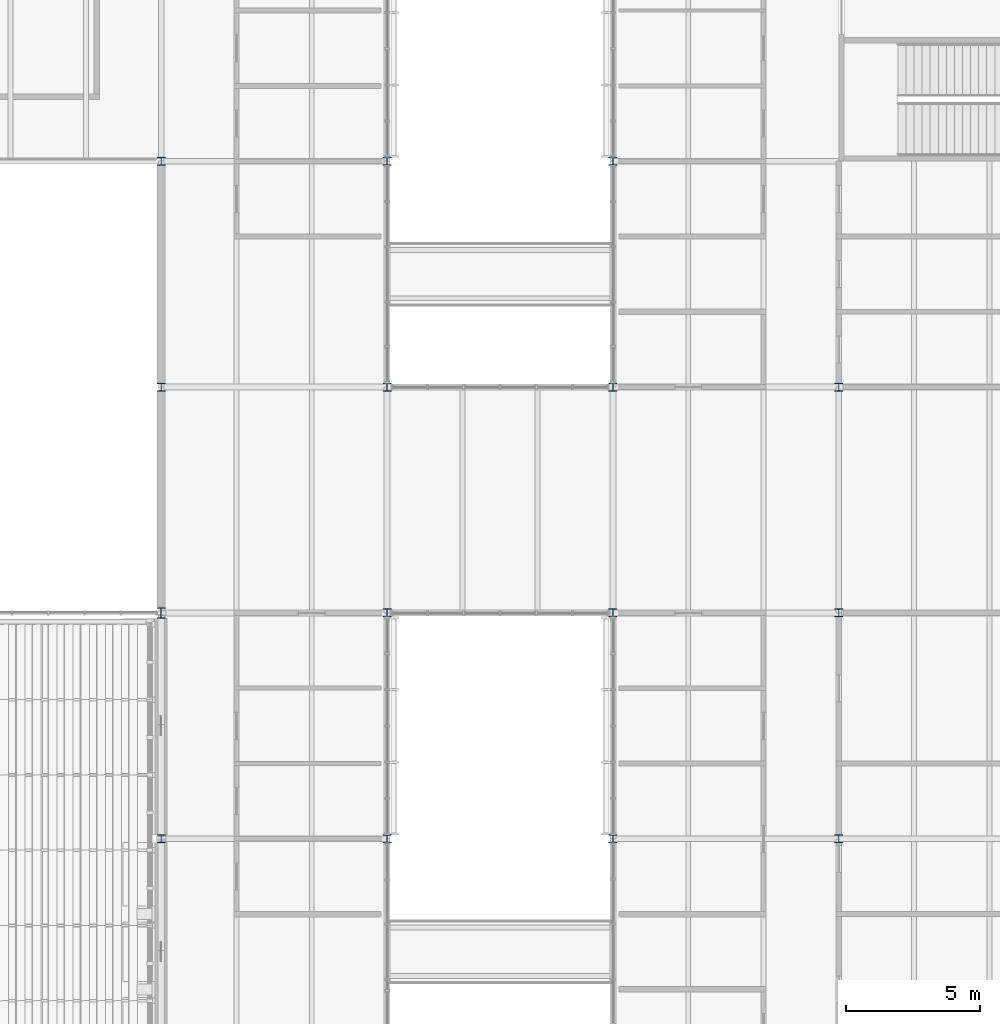
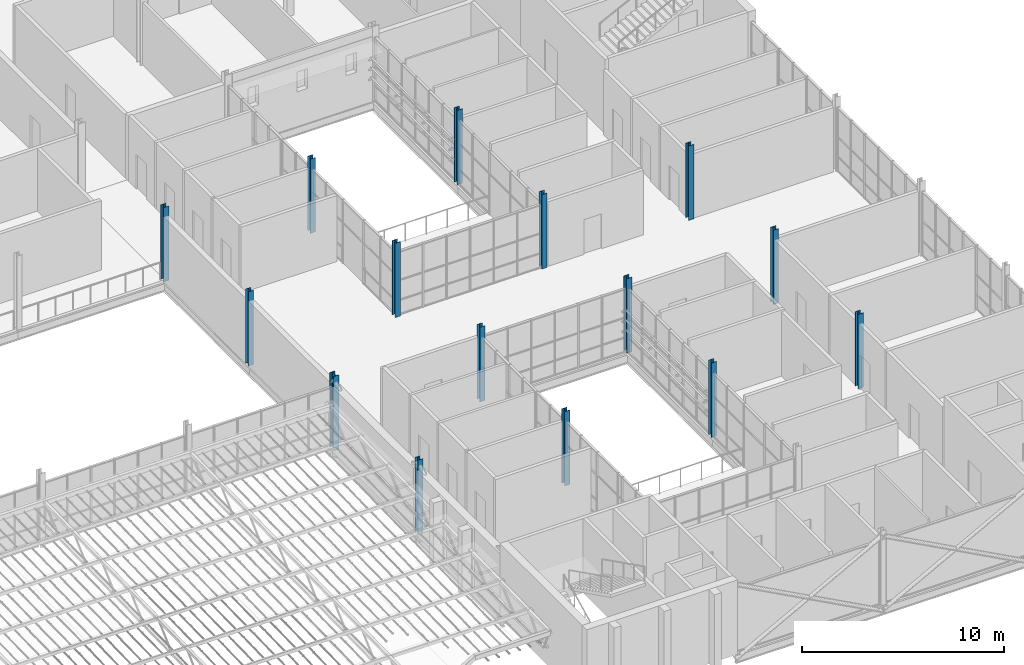
# One storey, part 6 of 129: 15 columns.
"""IFC4 building model written with IfcOpenShell, lengths in metres."""

from ifc_helpers import new_model, si_unit, direction, frame, origin, origin_2d, place, context, subcontext, project, spatial, i_section, extrude, material, material_profile, profile_set, type_object, element, save


model = new_model("IFC4")

# Units and contexts
model_context = context("Model", 3, precision=1e-05, world=origin(), true_north=direction((0.0, 1.0)))
body_context = subcontext(model_context, "Body", "Model", "MODEL_VIEW")
ifc_project = project(units=[si_unit("LENGTHUNIT", "METRE"), si_unit("AREAUNIT", "SQUARE_METRE"), si_unit("VOLUMEUNIT", "CUBIC_METRE"), si_unit("PLANEANGLEUNIT", "RADIAN"), si_unit("MASSUNIT", "GRAM", prefix="KILO")], contexts=[model_context])

# Site, building, storey
site_placement = place(None, origin())
site = spatial("IfcSite", under=ifc_project, at=site_placement, CompositionType="ELEMENT")
building_placement = place(site_placement, origin())
building = spatial("IfcBuilding", under=site, at=building_placement, Name="Ardhachandra Cancer Care Centre", CompositionType="ELEMENT")
storey_placement = place(building_placement, frame((0.0, 0.0, 4.5)))
storey = spatial("IfcBuildingStorey", under=building, at=storey_placement, Name="L01", CompositionType="ELEMENT", Elevation=4.5)

# Columns
ifc_material_1 = material(Name="Steel E350 (IS 2062)", Category="steel")
ifc_material_profile_1 = material_profile(ifc_material_1, i_section(OverallWidth=0.300048828125, OverallDepth=0.300048828125, WebThickness=0.010986328125, FlangeThickness=0.01904296875, FilletRadius=0.027099609375, at=origin_2d()), Name="WPB 300x300x117.03")
ifc_profile_set_1 = profile_set([ifc_material_profile_1], Name="Steel E350 (IS 2062)")
column_type_1 = type_object("IfcColumnType", Name="Column WPB 300x300x117.03", PredefinedType="COLUMN", material=ifc_profile_set_1)
for number, where, z_axis, x_axis, name in (
    (1, (120.0, 46.199951171875, 0.0), (0.0, 0.0, 1.0), (1.0, 0.0, 0.0), "Column E14 L01"),
    (2, (128.39990234375, 46.199951171875, 0.0), (0.0, 0.0, 1.0), (1.0, 0.0, 0.0), "Column E15 L01"),
    (3, (136.800048828125, 46.199951171875, 0.0), (0.0, 0.0, 1.0), (1.0, 0.0, 0.0), "Column E16 L01"),
    (4, (120.0, 54.60009765625, 0.0), (0.0, 0.0, 1.0), (1.0, 0.0, 0.0), "Column F14 L01"),
    (5, (128.39990234375, 54.60009765625, 0.0), (0.0, 0.0, 1.0), (1.0, 0.0, 0.0), "Column F15 L01"),
    (6, (136.800048828125, 54.60009765625, 0.0), (0.0, 0.0, 1.0), (1.0, 0.0, 0.0), "Column F16 L01"),
    (7, (111.60009765625, 63.0, 0.0), (0.0, 0.0, 1.0), (1.0, 0.0, 0.0), "Column G13 L01"),
    (8, (120.0, 63.0, 0.0), (0.0, 0.0, 1.0), (1.0, 0.0, 0.0), "Column G14 L01"),
    (9, (128.39990234375, 63.0, 0.0), (0.0, 0.0, 1.0), (1.0, 0.0, 0.0), "Column G15 L01"),
    (10, (136.800048828125, 63.0, 0.0), (0.0, 0.0, 1.0), (1.0, 0.0, 0.0), "Column G16 L01"),
    (11, (111.60009765625, 71.39990234375, 0.0), (0.0, 0.0, 1.0), (1.0, 0.0, 0.0), "Column H13 L01"),
    (12, (120.0, 71.39990234375, 0.0), (0.0, 0.0, 1.0), (1.0, 0.0, 0.0), "Column H14 L01"),
    (13, (128.39990234375, 71.39990234375, 0.0), (0.0, 0.0, 1.0), (1.0, 0.0, 0.0), "Column H15 L01"),
):
    element("IfcColumn", number, at=place(storey_placement, frame(where, z_axis=z_axis, x_axis=x_axis)), inside=storey, type_object=column_type_1, Name=name, PredefinedType="COLUMN", context=body_context, shape_type="SweptSolid", body=[
        extrude(i_section(OverallWidth=0.300048828125, OverallDepth=0.300048828125, WebThickness=0.010986328125, FlangeThickness=0.01904296875, FilletRadius=0.027099609375, at=origin_2d()), origin(), (0.0, 0.0, 1.0), 4.5),
    ])
ifc_material_2 = material(Name="Steel E350 (IS 2062)", Category="steel")
ifc_material_profile_2 = material_profile(ifc_material_2, i_section(OverallWidth=0.300048828125, OverallDepth=0.2900390625, WebThickness=0.008544921875, FlangeThickness=0.013916015625, FilletRadius=0.027099609375, at=origin_2d()), Name="WPB 300x300x88.33")
ifc_profile_set_2 = profile_set([ifc_material_profile_2], Name="Steel E350 (IS 2062)")
column_type_2 = type_object("IfcColumnType", Name="Column WPB 300x300x88.33", PredefinedType="COLUMN", material=ifc_profile_set_2)
column_1_placement = place(storey_placement, frame((111.60009765625, 46.199951171875, 0.0), z_axis=(0.0, 0.0, 1.0), x_axis=(1.0, 0.0, 0.0)))
element("IfcColumn", 14, at=column_1_placement, inside=storey, type_object=column_type_2, Name="Column E13 L01", PredefinedType="COLUMN", context=body_context, shape_type="SweptSolid", body=[
    extrude(i_section(OverallWidth=0.300048828125, OverallDepth=0.2900390625, WebThickness=0.008544921875, FlangeThickness=0.013916015625, FilletRadius=0.027099609375, at=origin_2d()), origin(), (0.0, 0.0, 1.0), 4.5),
])
ifc_material_3 = material(Name="Steel E350 (IS 2062)", Category="steel")
ifc_material_profile_3 = material_profile(ifc_material_3, i_section(OverallWidth=0.300048828125, OverallDepth=0.39990234375, WebThickness=0.013427734375, FlangeThickness=0.02392578125, FilletRadius=0.027099609375, at=origin_2d()), Name="WPB 400x300x155.26")
ifc_profile_set_3 = profile_set([ifc_material_profile_3], Name="Steel E350 (IS 2062)")
column_type_3 = type_object("IfcColumnType", Name="Column WPB 400x300x155.26", PredefinedType="COLUMN", material=ifc_profile_set_3)
column_2_placement = place(storey_placement, frame((111.60009765625, 54.60009765625, 0.0), z_axis=(0.0, 0.0, 1.0), x_axis=(1.0, 0.0, 0.0)))
element("IfcColumn", 15, at=column_2_placement, inside=storey, type_object=column_type_3, Name="Column F13 L01", PredefinedType="COLUMN", context=body_context, shape_type="SweptSolid", body=[
    extrude(i_section(OverallWidth=0.300048828125, OverallDepth=0.39990234375, WebThickness=0.013427734375, FlangeThickness=0.02392578125, FilletRadius=0.027099609375, at=origin_2d()), origin(), (0.0, 0.0, 1.0), 4.5),
])

save(model, "model.ifc")
